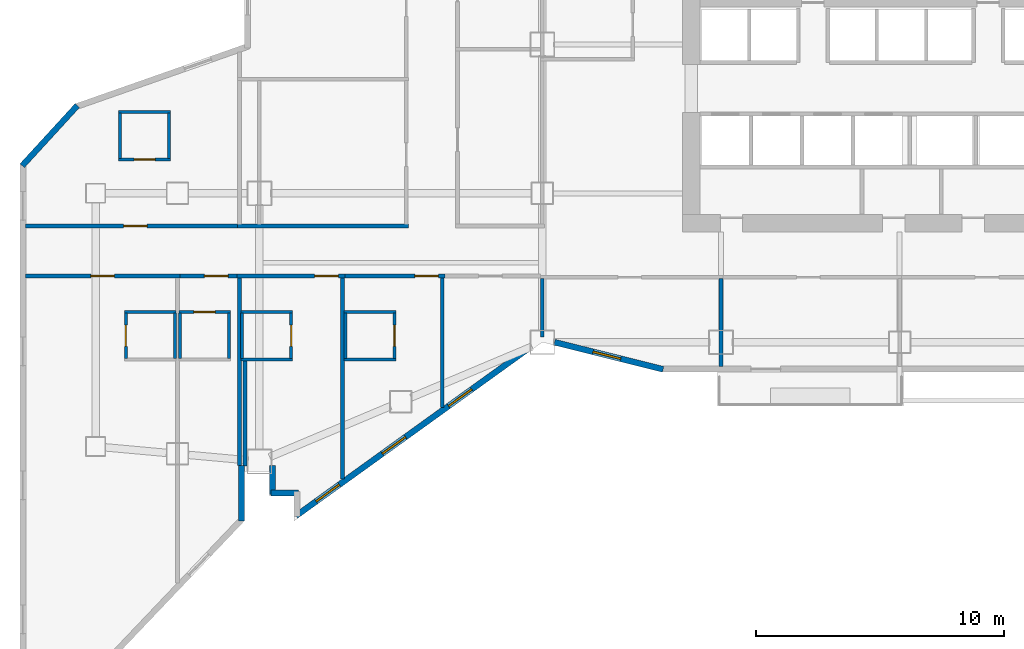
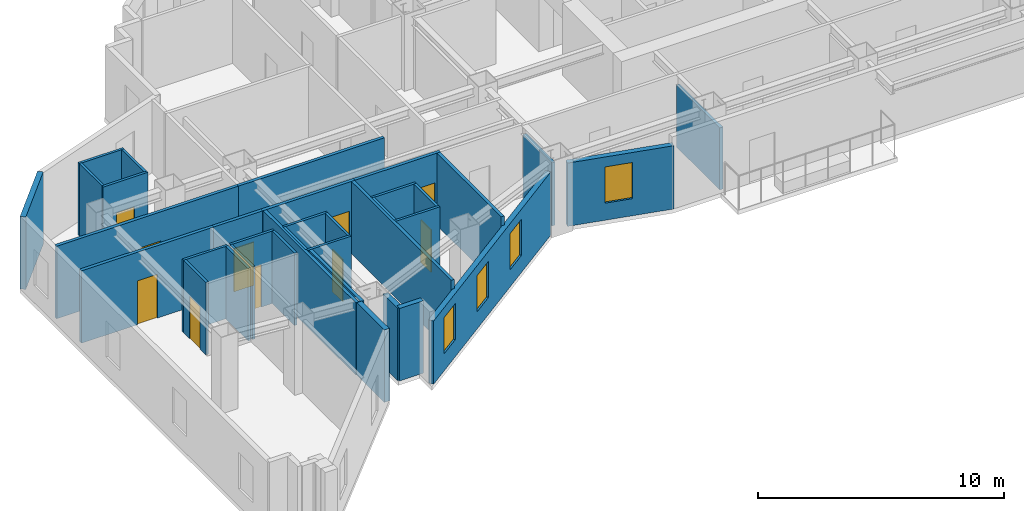
# One storey, part 5 of 13: 36 walls, 10 doors, 4 windows, 14 openings.
"""IFC4 building model written with IfcOpenShell, lengths in metres."""

from ifc_helpers import new_model, si_unit, direction, frame, frame_2d, origin, place, context, subcontext, project, spatial, rectangle, extrude, material, layer, layer_set, type_object, element, fill, save


model = new_model("IFC4")

# Units and contexts
model_context = context("Model", 3, precision=1e-05, world=origin(), true_north=direction((0.0, 1.0)))
body_context = subcontext(model_context, "Body", "Model", "MODEL_VIEW")
ifc_project = project(units=[si_unit("LENGTHUNIT", "METRE"), si_unit("AREAUNIT", "SQUARE_METRE"), si_unit("VOLUMEUNIT", "CUBIC_METRE"), si_unit("PLANEANGLEUNIT", "RADIAN"), si_unit("MASSUNIT", "GRAM", prefix="KILO")], contexts=[model_context])

# Site, building, storey
site_placement = place(None, origin())
site = spatial("IfcSite", under=ifc_project, at=site_placement, CompositionType="ELEMENT")
building_placement = place(site_placement, origin())
building = spatial("IfcBuilding", under=site, at=building_placement, Name="Haolan Belvedere Tower", CompositionType="ELEMENT")
storey_placement = place(building_placement, frame((0.0, 0.0, 102.199951171875)))
storey = spatial("IfcBuildingStorey", under=building, at=storey_placement, Name="L25", CompositionType="ELEMENT", Elevation=102.199951171875)

# Walls
ifc_material_1 = material(Name="Precast concrete C40/50", Category="concrete")
ifc_layer_1 = layer(ifc_material_1, 0.239990234375, Name="Precast concrete C40/50")
ifc_layer_set_1 = layer_set([ifc_layer_1], Name="Precast concrete C40/50")
wall_type_1 = type_object("IfcWallType", Name="WL-EXT-240", PredefinedType="SOLIDWALL", material=ifc_layer_set_1)
wall_1_placement = place(storey_placement, frame((13.1201171875, 16.639892578125, 0.0), z_axis=(0.0, 0.0, 1.0), x_axis=(0.0, -1.0, 0.0)))
element("IfcWall", 1, at=wall_1_placement, inside=storey, type_object=wall_type_1, Name="L25 pale-metal exterior spandrel wall 2.1", PredefinedType="SOLIDWALL", context=body_context, shape_type="SweptSolid", body=[
    extrude(rectangle(XDim=1.1748046875, YDim=0.239990234375, at=frame_2d((0.58740234375, 0.0))), origin(), (0.0, 0.0, 1.0), 3.60009765625),
])
wall_2_placement = place(storey_placement, frame((13.06494140625, 15.52001953125, 0.0), z_axis=(0.0, 0.0, 1.0), x_axis=(1.0, 0.0, 0.0)))
element("IfcWall", 2, at=wall_2_placement, inside=storey, type_object=wall_type_1, Name="L25 pale-metal exterior spandrel wall 3.1", PredefinedType="SOLIDWALL", context=body_context, shape_type="SweptSolid", body=[
    extrude(rectangle(XDim=1.110107421875, YDim=0.239990234375, at=frame_2d((0.55517578125, 0.0))), origin(), (0.0, 0.0, 1.0), 3.60009765625),
])

# Wall, openings, windows
wall_3_placement = place(storey_placement, frame((14.075439453125, 14.602294921875, 0.0), z_axis=(0.0, 0.0, 1.0), x_axis=(0.811543504691, 0.584291998913, 0.0)))
wall_3 = element("IfcWall", 3, at=wall_3_placement, inside=storey, type_object=wall_type_1, Name="L25 pale-metal exterior spandrel wall 5.1", PredefinedType="SOLIDWALL", context=body_context, shape_type="SweptSolid", body=[
    extrude(rectangle(XDim=11.623046875, YDim=0.239990234375, at=frame_2d((5.8115234375, 0.0))), origin(), (0.0, 0.0, 1.0), 3.14501953125),
])
opening_1_placement = place(wall_3_placement, frame((1.00048828125, 0.0, 0.85009765625)))
opening_1 = element("IfcOpeningElement", 4, at=opening_1_placement, cuts=wall_3, Name="Opening W-02", PredefinedType="OPENING", context=body_context, shape_type="SweptSolid", body=[
    extrude(rectangle(XDim=1.14990234375, YDim=1.800048828125, at=frame_2d((0.574951171875, 0.89990234375))), frame((0.0, 0.1298828125, 0.0), z_axis=(0.0, -1.0, 0.0), x_axis=(1.0, 0.0, 0.0)), (0.0, 0.0, 1.0), 0.260009765625),
])
opening_2_placement = place(wall_3_placement, frame((7.57421875, 0.0, 0.85009765625)))
opening_2 = element("IfcOpeningElement", 5, at=opening_2_placement, cuts=wall_3, Name="Opening W-02", PredefinedType="OPENING", context=body_context, shape_type="SweptSolid", body=[
    extrude(rectangle(XDim=1.14990234375, YDim=1.800048828125, at=frame_2d((0.574951171875, 0.89990234375))), frame((0.0, 0.1298828125, 0.0), z_axis=(0.0, -1.0, 0.0), x_axis=(1.0, 0.0, 0.0)), (0.0, 0.0, 1.0), 0.260009765625),
])
opening_3_placement = place(wall_3_placement, frame((4.287353515625, 0.0, 0.85009765625)))
opening_3 = element("IfcOpeningElement", 6, at=opening_3_placement, cuts=wall_3, Name="Opening W-02", PredefinedType="OPENING", context=body_context, shape_type="SweptSolid", body=[
    extrude(rectangle(XDim=1.14990234375, YDim=1.800048828125, at=frame_2d((0.574951171875, 0.89990234375))), frame((0.0, 0.1298828125, 0.0), z_axis=(0.0, -1.0, 0.0), x_axis=(1.0, 0.0, 0.0)), (0.0, 0.0, 1.0), 0.260009765625),
])
ifc_material_2 = material(Name="Anodised aluminium 6063-T6 and Low-E glass", Category="aluminium")
window_type = type_object("IfcWindowType", Name="WN-DECO-Z2", PartitioningType="SINGLE_PANEL", PredefinedType="WINDOW", material=ifc_material_2)
window_1_placement = place(opening_1_placement, origin())
window_1 = element("IfcWindow", 7, at=window_1_placement, inside=storey, type_object=window_type, Name="L25 Art Deco chevron window 1", OverallHeight=1.800048828125, OverallWidth=1.14990234375, PartitioningType="SINGLE_PANEL", PredefinedType="WINDOW", context=body_context, shape_type="SweptSolid", body=[
    extrude(rectangle(XDim=1.14990234375, YDim=1.800048828125, at=frame_2d((0.574951171875, 0.89990234375))), frame((0.0, 0.030029296875, 0.0), z_axis=(0.0, -1.0, 0.0), x_axis=(1.0, 0.0, 0.0)), (0.0, 0.0, 1.0), 0.06005859375),
])
fill(opening_1, window_1)
window_2_placement = place(opening_2_placement, origin())
window_2 = element("IfcWindow", 8, at=window_2_placement, inside=storey, type_object=window_type, Name="L25 Art Deco chevron window 2", OverallHeight=1.800048828125, OverallWidth=1.14990234375, PartitioningType="SINGLE_PANEL", PredefinedType="WINDOW", context=body_context, shape_type="SweptSolid", body=[
    extrude(rectangle(XDim=1.14990234375, YDim=1.800048828125, at=frame_2d((0.574951171875, 0.89990234375))), frame((0.0, 0.030029296875, 0.0), z_axis=(0.0, -1.0, 0.0), x_axis=(1.0, 0.0, 0.0)), (0.0, 0.0, 1.0), 0.06005859375),
])
fill(opening_2, window_2)
window_3_placement = place(opening_3_placement, origin())
window_3 = element("IfcWindow", 9, at=window_3_placement, inside=storey, type_object=window_type, Name="L25 Art Deco guestroom window 1", OverallHeight=1.800048828125, OverallWidth=1.14990234375, PartitioningType="SINGLE_PANEL", PredefinedType="WINDOW", context=body_context, shape_type="SweptSolid", body=[
    extrude(rectangle(XDim=1.14990234375, YDim=1.800048828125, at=frame_2d((0.574951171875, 0.89990234375))), frame((0.0, 0.030029296875, 0.0), z_axis=(0.0, -1.0, 0.0), x_axis=(1.0, 0.0, 0.0)), (0.0, 0.0, 1.0), 0.06005859375),
])
fill(opening_3, window_3)

# Wall, opening, window
wall_4_placement = place(storey_placement, frame((24.491943359375, 21.6005859375, 0.0), z_axis=(0.0, 0.0, 1.0), x_axis=(0.970145683738, -0.242522890311, 0.0)))
wall_4 = element("IfcWall", 10, at=wall_4_placement, inside=storey, type_object=wall_type_1, Name="L25 pale-metal exterior spandrel wall 6.1", PredefinedType="SOLIDWALL", context=body_context, shape_type="SweptSolid", body=[
    extrude(rectangle(XDim=4.510986328125, YDim=0.239990234375, at=frame_2d((2.25537109375, 0.0))), origin(), (0.0, 0.0, 1.0), 3.14501953125),
])
opening_4_placement = place(wall_4_placement, frame((1.60009765625, 0.0, 0.85009765625)))
opening_4 = element("IfcOpeningElement", 11, at=opening_4_placement, cuts=wall_4, Name="Opening W-02", PredefinedType="OPENING", context=body_context, shape_type="SweptSolid", body=[
    extrude(rectangle(XDim=1.14990234375, YDim=1.800048828125, at=frame_2d((0.574951171875, 0.89990234375))), frame((0.0, 0.1298828125, 0.0), z_axis=(0.0, -1.0, 0.0), x_axis=(1.0, 0.0, 0.0)), (0.0, 0.0, 1.0), 0.260009765625),
])
window_4_placement = place(opening_4_placement, origin())
window_4 = element("IfcWindow", 12, at=window_4_placement, inside=storey, type_object=window_type, Name="L25 Art Deco chevron window 1", OverallHeight=1.800048828125, OverallWidth=1.14990234375, PartitioningType="SINGLE_PANEL", PredefinedType="WINDOW", context=body_context, shape_type="SweptSolid", body=[
    extrude(rectangle(XDim=1.14990234375, YDim=1.800048828125, at=frame_2d((0.574951171875, 0.89990234375))), frame((0.0, 0.030029296875, 0.0), z_axis=(0.0, -1.0, 0.0), x_axis=(1.0, 0.0, 0.0)), (0.0, 0.0, 1.0), 0.06005859375),
])
fill(opening_4, window_4)

# Walls
wall_5_placement = place(storey_placement, frame((5.265380859375, 31.13720703125, 0.0), z_axis=(0.0, 0.0, 1.0), x_axis=(-0.675785130265, -0.737098675696, 0.0)))
element("IfcWall", 13, at=wall_5_placement, inside=storey, type_object=wall_type_1, Name="L25 pale-metal exterior spandrel wall 43.1", PredefinedType="SOLIDWALL", context=body_context, shape_type="SweptSolid", body=[
    extrude(rectangle(XDim=3.2890625, YDim=0.239990234375, at=frame_2d((1.64453125, 0.0))), origin(), (0.0, 0.0, 1.0), 3.60009765625),
])
wall_6_placement = place(storey_placement, frame((11.8798828125, 14.39306640625, 0.0), z_axis=(0.0, 0.0, 1.0), x_axis=(0.0, 1.0, 0.0)))
element("IfcWall", 14, at=wall_6_placement, inside=storey, type_object=wall_type_1, Name="L25 pale-metal exterior spandrel wall 50.1", PredefinedType="SOLIDWALL", context=body_context, shape_type="SweptSolid", body=[
    extrude(rectangle(XDim=2.246826171875, YDim=0.239990234375, at=frame_2d((1.12353515625, 0.0))), origin(), (0.0, 0.0, 1.0), 3.60009765625),
])
ifc_material_3 = material(Name="Double gypsum acoustic stud partition", Category="masonry")
ifc_layer_2 = layer(ifc_material_3, 0.14990234375, Name="Double gypsum acoustic stud partition")
ifc_layer_set_2 = layer_set([ifc_layer_2], Name="Double gypsum acoustic stud partition")
wall_type_2 = type_object("IfcWallType", Name="WL-PART-150", PredefinedType="PARTITIONING", material=ifc_layer_set_2)
wall_7_placement = place(storey_placement, frame((24.0, 21.818603515625, 0.0), z_axis=(0.0, 0.0, 1.0), x_axis=(0.0, 1.0, 0.0)))
element("IfcWall", 15, at=wall_7_placement, inside=storey, type_object=wall_type_2, Name="L25 interior partition IW-L25-KS1-W", PredefinedType="PARTITIONING", context=body_context, shape_type="SweptSolid", body=[
    extrude(rectangle(XDim=2.34130859375, YDim=0.14990234375, at=frame_2d((1.170654296875, 0.0))), origin(), (0.0, 0.0, 1.0), 3.14501953125),
])
wall_8_placement = place(storey_placement, frame((31.199951171875, 20.625, 0.0), z_axis=(0.0, 0.0, 1.0), x_axis=(0.0, 1.0, 0.0)))
element("IfcWall", 16, at=wall_8_placement, inside=storey, type_object=wall_type_2, Name="L25 interior partition IW-L25-KS1-E", PredefinedType="PARTITIONING", context=body_context, shape_type="SweptSolid", body=[
    extrude(rectangle(XDim=3.534912109375, YDim=0.14990234375, at=frame_2d((1.767578125, 0.0))), origin(), (0.0, 0.0, 1.0), 3.0849609375),
])
wall_9_placement = place(storey_placement, frame((11.719970703125, 26.280029296875, 0.0), z_axis=(0.0, 0.0, 1.0), x_axis=(1.0, 0.0, 0.0)))
element("IfcWall", 17, at=wall_9_placement, inside=storey, type_object=wall_type_2, Name="L25 interior partition IW-L25-T2W1-S", PredefinedType="PARTITIONING", context=body_context, shape_type="SweptSolid", body=[
    extrude(rectangle(XDim=6.880126953125, YDim=0.14990234375, at=frame_2d((3.43994140625, 0.0))), origin(), (0.0, 0.0, 1.0), 3.60009765625),
])

# Wall, opening, door
wall_10_placement = place(storey_placement, frame((11.699951171875, 24.27001953125, 0.0), z_axis=(0.0, 0.0, 1.0), x_axis=(1.0, 0.0, 0.0)))
wall_10 = element("IfcWall", 18, at=wall_10_placement, inside=storey, type_object=wall_type_2, Name="L25 interior partition IW-L25-T2S1-N", PredefinedType="PARTITIONING", context=body_context, shape_type="SweptSolid", body=[
    extrude(rectangle(XDim=4.35009765625, YDim=0.14990234375, at=frame_2d((2.175048828125, 0.0))), origin(), (0.0, 0.0, 1.0), 3.60009765625),
])
opening_5_placement = place(wall_10_placement, frame((4.079833984375, 0.0, 0.0), z_axis=(0.0, 0.0, 1.0), x_axis=(-1.0, 0.0, 0.0)))
opening_5 = element("IfcOpeningElement", 19, at=opening_5_placement, cuts=wall_10, Name="Opening ID-02", PredefinedType="OPENING", context=body_context, shape_type="SweptSolid", body=[
    extrude(rectangle(XDim=0.949951171875, YDim=2.14990234375, at=frame_2d((0.47509765625, 1.074951171875))), frame((0.0, 0.0849609375, 0.0), z_axis=(0.0, -1.0, 0.0), x_axis=(1.0, 0.0, 0.0)), (0.0, 0.0, 1.0), 0.169921875),
])
ifc_material_4 = material(Name="Acoustic oak veneer fire-rated timber", Category="wood")
door_type_1 = type_object("IfcDoorType", Name="DR-GUEST-950", OperationType="NOTDEFINED", PredefinedType="DOOR", material=ifc_material_4)
door_1_placement = place(opening_5_placement, origin())
door_1 = element("IfcDoor", 20, at=door_1_placement, inside=storey, type_object=door_type_1, Name="L25 door ID-L25-T2S1-ENT", OperationType="SINGLE_SWING_RIGHT", OverallHeight=2.14990234375, OverallWidth=0.949951171875, PredefinedType="DOOR", context=body_context, shape_type="SweptSolid", body=[
    extrude(rectangle(XDim=0.949951171875, YDim=2.14990234375, at=frame_2d((0.47509765625, 1.074951171875))), frame((0.0, 0.02490234375, 0.0), z_axis=(0.0, -1.0, 0.0), x_axis=(1.0, 0.0, 0.0)), (0.0, 0.0, 1.0), 0.050048828125),
])
fill(opening_5, door_1)

# Walls
wall_11_placement = place(storey_placement, frame((11.800048828125, 16.64208984375, 0.0), z_axis=(0.0, 0.0, 1.0), x_axis=(0.0, 1.0, 0.0)))
element("IfcWall", 21, at=wall_11_placement, inside=storey, type_object=wall_type_2, Name="L25 interior partition IW-L25-T2S1-W", PredefinedType="PARTITIONING", context=body_context, shape_type="SweptSolid", body=[
    extrude(rectangle(XDim=7.56787109375, YDim=0.14990234375, at=frame_2d((3.783935546875, 0.0))), origin(), (0.0, 0.0, 1.0), 3.60009765625),
])
wall_12_placement = place(storey_placement, frame((15.949951171875, 16.081298828125, 0.0), z_axis=(0.0, 0.0, 1.0), x_axis=(0.0, 1.0, 0.0)))
element("IfcWall", 22, at=wall_12_placement, inside=storey, type_object=wall_type_2, Name="L25 interior partition IW-L25-T2S1-E", PredefinedType="PARTITIONING", context=body_context, shape_type="SweptSolid", body=[
    extrude(rectangle(XDim=8.128662109375, YDim=0.14990234375, at=frame_2d((4.064453125, 0.0))), origin(), (0.0, 0.0, 1.0), 3.60009765625),
])

# Wall, opening, door
wall_13_placement = place(storey_placement, frame((16.052001953125, 24.27001953125, 0.0), z_axis=(0.0, 0.0, 1.0), x_axis=(1.0, 0.0, 0.0)))
wall_13 = element("IfcWall", 23, at=wall_13_placement, inside=storey, type_object=wall_type_2, Name="L25 interior partition IW-L25-T2S2-N", PredefinedType="PARTITIONING", context=body_context, shape_type="SweptSolid", body=[
    extrude(rectangle(XDim=4.01806640625, YDim=0.14990234375, at=frame_2d((2.009033203125, 0.0))), origin(), (0.0, 0.0, 1.0), 3.60009765625),
])
opening_6_placement = place(wall_13_placement, frame((3.759765625, 0.0, 0.0), z_axis=(0.0, 0.0, 1.0), x_axis=(-1.0, 0.0, 0.0)))
opening_6 = element("IfcOpeningElement", 24, at=opening_6_placement, cuts=wall_13, Name="Opening ID-02", PredefinedType="OPENING", context=body_context, shape_type="SweptSolid", body=[
    extrude(rectangle(XDim=0.949951171875, YDim=2.14990234375, at=frame_2d((0.47509765625, 1.074951171875))), frame((0.0, 0.0849609375, 0.0), z_axis=(0.0, -1.0, 0.0), x_axis=(1.0, 0.0, 0.0)), (0.0, 0.0, 1.0), 0.169921875),
])
door_2_placement = place(opening_6_placement, origin())
door_2 = element("IfcDoor", 25, at=door_2_placement, inside=storey, type_object=door_type_1, Name="L25 door ID-L25-T2S2-ENT", OperationType="SINGLE_SWING_LEFT", OverallHeight=2.14990234375, OverallWidth=0.949951171875, PredefinedType="DOOR", context=body_context, shape_type="SweptSolid", body=[
    extrude(rectangle(XDim=0.949951171875, YDim=2.14990234375, at=frame_2d((0.47509765625, 1.074951171875))), frame((0.0, 0.02490234375, 0.0), z_axis=(0.0, -1.0, 0.0), x_axis=(1.0, 0.0, 0.0)), (0.0, 0.0, 1.0), 0.050048828125),
])
fill(opening_6, door_2)

# Wall
wall_14_placement = place(storey_placement, frame((19.969970703125, 18.9755859375, 0.0), z_axis=(0.0, 0.0, 1.0), x_axis=(0.0, 1.0, 0.0)))
element("IfcWall", 26, at=wall_14_placement, inside=storey, type_object=wall_type_2, Name="L25 interior partition IW-L25-T2S2-E", PredefinedType="PARTITIONING", context=body_context, shape_type="SweptSolid", body=[
    extrude(rectangle(XDim=5.234375, YDim=0.14990234375, at=frame_2d((2.6171875, 0.0))), origin(), (0.0, 0.0, 1.0), 3.60009765625),
])

# Wall, opening, door
wall_15_placement = place(storey_placement, frame((3.18505859375, 24.27001953125, 0.0), z_axis=(0.0, 0.0, 1.0), x_axis=(1.0, 0.0, 0.0)))
wall_15 = element("IfcWall", 27, at=wall_15_placement, inside=storey, type_object=wall_type_2, Name="L25 interior partition IW-L25-T1S1-N", PredefinedType="PARTITIONING", context=body_context, shape_type="SweptSolid", body=[
    extrude(rectangle(XDim=6.21484375, YDim=0.14990234375, at=frame_2d((3.107421875, 0.0))), origin(), (0.0, 0.0, 1.0), 3.60009765625),
])
opening_7_placement = place(wall_15_placement, frame((3.57666015625, 0.0, 0.0), z_axis=(0.0, 0.0, 1.0), x_axis=(-1.0, 0.0, 0.0)))
opening_7 = element("IfcOpeningElement", 28, at=opening_7_placement, cuts=wall_15, Name="Opening ID-01", PredefinedType="OPENING", context=body_context, shape_type="SweptSolid", body=[
    extrude(rectangle(XDim=0.949951171875, YDim=2.179931640625, at=frame_2d((0.47509765625, 1.08984375))), frame((0.0, 0.0849609375, 0.0), z_axis=(0.0, -1.0, 0.0), x_axis=(1.0, 0.0, 0.0)), (0.0, 0.0, 1.0), 0.169921875),
])
ifc_material_5 = material(Name="Acoustic walnut veneer fire-rated timber", Category="wood")
door_type_2 = type_object("IfcDoorType", Name="DR-SUITE-950", OperationType="NOTDEFINED", PredefinedType="DOOR", material=ifc_material_5)
door_3_placement = place(opening_7_placement, origin())
door_3 = element("IfcDoor", 29, at=door_3_placement, inside=storey, type_object=door_type_2, Name="L25 door ID-L25-T1S1-ENT", OperationType="SINGLE_SWING_LEFT", OverallHeight=2.179931640625, OverallWidth=0.949951171875, PredefinedType="DOOR", context=body_context, shape_type="SweptSolid", body=[
    extrude(rectangle(XDim=0.949951171875, YDim=2.179931640625, at=frame_2d((0.47509765625, 1.08984375))), frame((0.0, 0.02490234375, 0.0), z_axis=(0.0, -1.0, 0.0), x_axis=(1.0, 0.0, 0.0)), (0.0, 0.0, 1.0), 0.050048828125),
])
fill(opening_7, door_3)

wall_16_placement = place(storey_placement, frame((9.402099609375, 24.27001953125, 0.0), z_axis=(0.0, 0.0, 1.0), x_axis=(1.0, 0.0, 0.0)))
wall_16 = element("IfcWall", 30, at=wall_16_placement, inside=storey, type_object=wall_type_2, Name="L25 interior partition IW-L25-T1S2-N", PredefinedType="PARTITIONING", context=body_context, shape_type="SweptSolid", body=[
    extrude(rectangle(XDim=2.2958984375, YDim=0.14990234375, at=frame_2d((1.14794921875, 0.0))), origin(), (0.0, 0.0, 1.0), 3.60009765625),
])
opening_8_placement = place(wall_16_placement, frame((1.93408203125, 0.0, 0.0), z_axis=(0.0, 0.0, 1.0), x_axis=(-1.0, 0.0, 0.0)))
opening_8 = element("IfcOpeningElement", 31, at=opening_8_placement, cuts=wall_16, Name="Opening ID-02", PredefinedType="OPENING", context=body_context, shape_type="SweptSolid", body=[
    extrude(rectangle(XDim=0.949951171875, YDim=2.14990234375, at=frame_2d((0.47509765625, 1.074951171875))), frame((0.0, 0.0849609375, 0.0), z_axis=(0.0, -1.0, 0.0), x_axis=(1.0, 0.0, 0.0)), (0.0, 0.0, 1.0), 0.169921875),
])
door_4_placement = place(opening_8_placement, origin())
door_4 = element("IfcDoor", 32, at=door_4_placement, inside=storey, type_object=door_type_1, Name="L25 door ID-L25-T1S2-ENT", OperationType="SINGLE_SWING_RIGHT", OverallHeight=2.14990234375, OverallWidth=0.949951171875, PredefinedType="DOOR", context=body_context, shape_type="SweptSolid", body=[
    extrude(rectangle(XDim=0.949951171875, YDim=2.14990234375, at=frame_2d((0.47509765625, 1.074951171875))), frame((0.0, 0.02490234375, 0.0), z_axis=(0.0, -1.0, 0.0), x_axis=(1.0, 0.0, 0.0)), (0.0, 0.0, 1.0), 0.050048828125),
])
fill(opening_8, door_4)

# Wall
wall_17_placement = place(storey_placement, frame((12.02001953125, 16.612060546875, 0.0), z_axis=(0.0, 0.0, 1.0), x_axis=(0.0, 1.0, 0.0)))
element("IfcWall", 33, at=wall_17_placement, inside=storey, type_object=wall_type_2, Name="L25 interior partition IW-L25-T1S2-E", PredefinedType="PARTITIONING", context=body_context, shape_type="SweptSolid", body=[
    extrude(rectangle(XDim=4.242919921875, YDim=0.14990234375, at=frame_2d((2.12158203125, 0.0))), origin(), (0.0, 0.0, 1.0), 3.60009765625),
])

# Wall, opening, door
wall_18_placement = place(storey_placement, frame((3.18505859375, 26.280029296875, 0.0), z_axis=(0.0, 0.0, 1.0), x_axis=(1.0, 0.0, 0.0)))
wall_18 = element("IfcWall", 34, at=wall_18_placement, inside=storey, type_object=wall_type_2, Name="L25 interior partition IW-L25-T1N1-S", PredefinedType="PARTITIONING", context=body_context, shape_type="SweptSolid", body=[
    extrude(rectangle(XDim=8.532958984375, YDim=0.14990234375, at=frame_2d((4.2666015625, 0.0))), origin(), (0.0, 0.0, 1.0), 3.60009765625),
])
opening_9_placement = place(wall_18_placement, frame((3.94287109375, 0.0, 0.0)))
opening_9 = element("IfcOpeningElement", 35, at=opening_9_placement, cuts=wall_18, Name="Opening ID-02", PredefinedType="OPENING", context=body_context, shape_type="SweptSolid", body=[
    extrude(rectangle(XDim=0.949951171875, YDim=2.14990234375, at=frame_2d((0.47509765625, 1.074951171875))), frame((0.0, 0.0849609375, 0.0), z_axis=(0.0, -1.0, 0.0), x_axis=(1.0, 0.0, 0.0)), (0.0, 0.0, 1.0), 0.169921875),
])
door_5_placement = place(opening_9_placement, origin())
door_5 = element("IfcDoor", 36, at=door_5_placement, inside=storey, type_object=door_type_1, Name="L25 door ID-L25-T1N1-ENT", OperationType="SINGLE_SWING_LEFT", OverallHeight=2.14990234375, OverallWidth=0.949951171875, PredefinedType="DOOR", context=body_context, shape_type="SweptSolid", body=[
    extrude(rectangle(XDim=0.949951171875, YDim=2.14990234375, at=frame_2d((0.47509765625, 1.074951171875))), frame((0.0, 0.02490234375, 0.0), z_axis=(0.0, -1.0, 0.0), x_axis=(1.0, 0.0, 0.0)), (0.0, 0.0, 1.0), 0.050048828125),
])
fill(opening_9, door_5)

# Walls
ifc_material_6 = material(Name="Moisture-resistant gypsum tile partition", Category="masonry")
ifc_layer_3 = layer(ifc_material_6, 0.1201171875, Name="Moisture-resistant gypsum tile partition")
ifc_layer_set_3 = layer_set([ifc_layer_3], Name="Moisture-resistant gypsum tile partition")
wall_type_3 = type_object("IfcWallType", Name="WL-WET-120", PredefinedType="PARTITIONING", material=ifc_layer_set_3)
for number, where, z_axis, x_axis, name in (
    (37, (11.860107421875, 22.820068359375, 0.0), (0.0, 0.0, 1.0), (1.0, 0.0, 0.0), "L25 interior partition IW-L25-T2S1-BN"),
    (38, (11.860107421875, 20.89990234375, 0.0), (0.0, 0.0, 1.0), (1.0, 0.0, 0.0), "L25 interior partition IW-L25-T2S1-BS"),
):
    element("IfcWall", number, at=place(storey_placement, frame(where, z_axis=z_axis, x_axis=x_axis)), inside=storey, type_object=wall_type_3, Name=name, PredefinedType="PARTITIONING", context=body_context, shape_type="SweptSolid", body=[
        extrude(rectangle(XDim=2.079833984375, YDim=0.1201171875, at=frame_2d((1.0400390625, 0.0))), origin(), (0.0, 0.0, 1.0), 3.60009765625),
    ])
wall_19_placement = place(storey_placement, frame((11.89990234375, 20.945068359375, 0.0), z_axis=(0.0, 0.0, 1.0), x_axis=(0.0, 1.0, 0.0)))
element("IfcWall", 39, at=wall_19_placement, inside=storey, type_object=wall_type_3, Name="L25 interior partition IW-L25-T2S1-BW", PredefinedType="PARTITIONING", context=body_context, shape_type="SweptSolid", body=[
    extrude(rectangle(XDim=1.829833984375, YDim=0.1201171875, at=frame_2d((0.9150390625, 0.0))), origin(), (0.0, 0.0, 1.0), 3.60009765625),
])

# Wall, opening, door
wall_20_placement = place(storey_placement, frame((13.8798828125, 20.945068359375, 0.0), z_axis=(0.0, 0.0, 1.0), x_axis=(0.0, 1.0, 0.0)))
wall_20 = element("IfcWall", 40, at=wall_20_placement, inside=storey, type_object=wall_type_3, Name="L25 interior partition IW-L25-T2S1-BE", PredefinedType="PARTITIONING", context=body_context, shape_type="SweptSolid", body=[
    extrude(rectangle(XDim=1.829833984375, YDim=0.1201171875, at=frame_2d((0.9150390625, 0.0))), origin(), (0.0, 0.0, 1.0), 3.60009765625),
])
opening_10_placement = place(wall_20_placement, frame((0.489990234375, 0.0, 0.0)))
opening_10 = element("IfcOpeningElement", 41, at=opening_10_placement, cuts=wall_20, Name="Opening ID-05", PredefinedType="OPENING", context=body_context, shape_type="SweptSolid", body=[
    extrude(rectangle(XDim=0.85009765625, YDim=2.10009765625, at=frame_2d((0.425048828125, 1.050048828125))), frame((0.0, 0.070068359375, 0.0), z_axis=(0.0, -1.0, 0.0), x_axis=(1.0, 0.0, 0.0)), (0.0, 0.0, 1.0), 0.14013671875),
])
ifc_material_7 = material(Name="Moisture-resistant lacquered timber", Category="wood")
door_type_3 = type_object("IfcDoorType", Name="DR-BATH-850", OperationType="NOTDEFINED", PredefinedType="DOOR", material=ifc_material_7)
door_6_placement = place(opening_10_placement, origin())
door_6 = element("IfcDoor", 42, at=door_6_placement, inside=storey, type_object=door_type_3, Name="L25 door ID-L25-T2S1-BATH", OperationType="SINGLE_SWING_LEFT", OverallHeight=2.10009765625, OverallWidth=0.85009765625, PredefinedType="DOOR", context=body_context, shape_type="SweptSolid", body=[
    extrude(rectangle(XDim=0.85009765625, YDim=2.10009765625, at=frame_2d((0.425048828125, 1.050048828125))), frame((0.0, 0.02490234375, 0.0), z_axis=(0.0, -1.0, 0.0), x_axis=(1.0, 0.0, 0.0)), (0.0, 0.0, 1.0), 0.050048828125),
])
fill(opening_10, door_6)

# Walls
for number, where, z_axis, x_axis, name in (
    (43, (16.010009765625, 22.820068359375, 0.0), (0.0, 0.0, 1.0), (1.0, 0.0, 0.0), "L25 interior partition IW-L25-T2S2-BN"),
    (44, (16.010009765625, 20.89990234375, 0.0), (0.0, 0.0, 1.0), (1.0, 0.0, 0.0), "L25 interior partition IW-L25-T2S2-BS"),
):
    element("IfcWall", number, at=place(storey_placement, frame(where, z_axis=z_axis, x_axis=x_axis)), inside=storey, type_object=wall_type_3, Name=name, PredefinedType="PARTITIONING", context=body_context, shape_type="SweptSolid", body=[
        extrude(rectangle(XDim=2.094970703125, YDim=0.1201171875, at=frame_2d((1.04736328125, 0.0))), origin(), (0.0, 0.0, 1.0), 3.60009765625),
    ])
wall_21_placement = place(storey_placement, frame((16.06494140625, 20.945068359375, 0.0), z_axis=(0.0, 0.0, 1.0), x_axis=(0.0, 1.0, 0.0)))
element("IfcWall", 45, at=wall_21_placement, inside=storey, type_object=wall_type_3, Name="L25 interior partition IW-L25-T2S2-BW", PredefinedType="PARTITIONING", context=body_context, shape_type="SweptSolid", body=[
    extrude(rectangle(XDim=1.829833984375, YDim=0.1201171875, at=frame_2d((0.9150390625, 0.0))), origin(), (0.0, 0.0, 1.0), 3.60009765625),
])

# Wall, opening, door
wall_22_placement = place(storey_placement, frame((18.044921875, 20.945068359375, 0.0), z_axis=(0.0, 0.0, 1.0), x_axis=(0.0, 1.0, 0.0)))
wall_22 = element("IfcWall", 46, at=wall_22_placement, inside=storey, type_object=wall_type_3, Name="L25 interior partition IW-L25-T2S2-BE", PredefinedType="PARTITIONING", context=body_context, shape_type="SweptSolid", body=[
    extrude(rectangle(XDim=1.829833984375, YDim=0.1201171875, at=frame_2d((0.9150390625, 0.0))), origin(), (0.0, 0.0, 1.0), 3.60009765625),
])
opening_11_placement = place(wall_22_placement, frame((0.489990234375, 0.0, 0.0)))
opening_11 = element("IfcOpeningElement", 47, at=opening_11_placement, cuts=wall_22, Name="Opening ID-05", PredefinedType="OPENING", context=body_context, shape_type="SweptSolid", body=[
    extrude(rectangle(XDim=0.85009765625, YDim=2.10009765625, at=frame_2d((0.425048828125, 1.050048828125))), frame((0.0, 0.070068359375, 0.0), z_axis=(0.0, -1.0, 0.0), x_axis=(1.0, 0.0, 0.0)), (0.0, 0.0, 1.0), 0.14013671875),
])
door_7_placement = place(opening_11_placement, origin())
door_7 = element("IfcDoor", 48, at=door_7_placement, inside=storey, type_object=door_type_3, Name="L25 door ID-L25-T2S2-BATH", OperationType="SINGLE_SWING_RIGHT", OverallHeight=2.10009765625, OverallWidth=0.85009765625, PredefinedType="DOOR", context=body_context, shape_type="SweptSolid", body=[
    extrude(rectangle(XDim=0.85009765625, YDim=2.10009765625, at=frame_2d((0.425048828125, 1.050048828125))), frame((0.0, 0.02490234375, 0.0), z_axis=(0.0, -1.0, 0.0), x_axis=(1.0, 0.0, 0.0)), (0.0, 0.0, 1.0), 0.050048828125),
])
fill(opening_11, door_7)

# Wall
wall_23_placement = place(storey_placement, frame((7.159912109375, 22.820068359375, 0.0), z_axis=(0.0, 0.0, 1.0), x_axis=(1.0, 0.0, 0.0)))
element("IfcWall", 49, at=wall_23_placement, inside=storey, type_object=wall_type_3, Name="L25 interior partition IW-L25-T1S1-BN", PredefinedType="PARTITIONING", context=body_context, shape_type="SweptSolid", body=[
    extrude(rectangle(XDim=2.080078125, YDim=0.1201171875, at=frame_2d((1.0400390625, 0.0))), origin(), (0.0, 0.0, 1.0), 3.60009765625),
])

# Wall, opening, door
wall_24_placement = place(storey_placement, frame((7.219970703125, 20.945068359375, 0.0), z_axis=(0.0, 0.0, 1.0), x_axis=(0.0, 1.0, 0.0)))
wall_24 = element("IfcWall", 50, at=wall_24_placement, inside=storey, type_object=wall_type_3, Name="L25 interior partition IW-L25-T1S1-BW", PredefinedType="PARTITIONING", context=body_context, shape_type="SweptSolid", body=[
    extrude(rectangle(XDim=1.829833984375, YDim=0.1201171875, at=frame_2d((0.9150390625, 0.0))), origin(), (0.0, 0.0, 1.0), 3.60009765625),
])
opening_12_placement = place(wall_24_placement, frame((1.340087890625, 0.0, 0.0), z_axis=(0.0, 0.0, 1.0), x_axis=(-1.0, 0.0, 0.0)))
opening_12 = element("IfcOpeningElement", 51, at=opening_12_placement, cuts=wall_24, Name="Opening ID-05", PredefinedType="OPENING", context=body_context, shape_type="SweptSolid", body=[
    extrude(rectangle(XDim=0.85009765625, YDim=2.10009765625, at=frame_2d((0.425048828125, 1.050048828125))), frame((0.0, 0.070068359375, 0.0), z_axis=(0.0, -1.0, 0.0), x_axis=(1.0, 0.0, 0.0)), (0.0, 0.0, 1.0), 0.14013671875),
])
door_8_placement = place(opening_12_placement, origin())
door_8 = element("IfcDoor", 52, at=door_8_placement, inside=storey, type_object=door_type_3, Name="L25 door ID-L25-T1S1-BATH", OperationType="SINGLE_SWING_RIGHT", OverallHeight=2.10009765625, OverallWidth=0.85009765625, PredefinedType="DOOR", context=body_context, shape_type="SweptSolid", body=[
    extrude(rectangle(XDim=0.85009765625, YDim=2.10009765625, at=frame_2d((0.425048828125, 1.050048828125))), frame((0.0, 0.02490234375, 0.0), z_axis=(0.0, -1.0, 0.0), x_axis=(1.0, 0.0, 0.0)), (0.0, 0.0, 1.0), 0.050048828125),
])
fill(opening_12, door_8)

# Wall
wall_25_placement = place(storey_placement, frame((9.199951171875, 20.945068359375, 0.0), z_axis=(0.0, 0.0, 1.0), x_axis=(0.0, 1.0, 0.0)))
element("IfcWall", 53, at=wall_25_placement, inside=storey, type_object=wall_type_3, Name="L25 interior partition IW-L25-T1S1-BE", PredefinedType="PARTITIONING", context=body_context, shape_type="SweptSolid", body=[
    extrude(rectangle(XDim=1.829833984375, YDim=0.1201171875, at=frame_2d((0.9150390625, 0.0))), origin(), (0.0, 0.0, 1.0), 3.60009765625),
])

# Wall, opening, door
wall_26_placement = place(storey_placement, frame((9.360107421875, 22.820068359375, 0.0), z_axis=(0.0, 0.0, 1.0), x_axis=(1.0, 0.0, 0.0)))
wall_26 = element("IfcWall", 54, at=wall_26_placement, inside=storey, type_object=wall_type_3, Name="L25 interior partition IW-L25-T1S2-BN", PredefinedType="PARTITIONING", context=body_context, shape_type="SweptSolid", body=[
    extrude(rectangle(XDim=2.079833984375, YDim=0.1201171875, at=frame_2d((1.0400390625, 0.0))), origin(), (0.0, 0.0, 1.0), 3.60009765625),
])
opening_13_placement = place(wall_26_placement, frame((1.455078125, 0.0, 0.0), z_axis=(0.0, 0.0, 1.0), x_axis=(-1.0, 0.0, 0.0)))
opening_13 = element("IfcOpeningElement", 55, at=opening_13_placement, cuts=wall_26, Name="Opening ID-05", PredefinedType="OPENING", context=body_context, shape_type="SweptSolid", body=[
    extrude(rectangle(XDim=0.85009765625, YDim=2.10009765625, at=frame_2d((0.425048828125, 1.050048828125))), frame((0.0, 0.070068359375, 0.0), z_axis=(0.0, -1.0, 0.0), x_axis=(1.0, 0.0, 0.0)), (0.0, 0.0, 1.0), 0.14013671875),
])
door_9_placement = place(opening_13_placement, origin())
door_9 = element("IfcDoor", 56, at=door_9_placement, inside=storey, type_object=door_type_3, Name="L25 door ID-L25-T1S2-BATH", OperationType="SINGLE_SWING_LEFT", OverallHeight=2.10009765625, OverallWidth=0.85009765625, PredefinedType="DOOR", context=body_context, shape_type="SweptSolid", body=[
    extrude(rectangle(XDim=0.85009765625, YDim=2.10009765625, at=frame_2d((0.425048828125, 1.050048828125))), frame((0.0, 0.02490234375, 0.0), z_axis=(0.0, -1.0, 0.0), x_axis=(1.0, 0.0, 0.0)), (0.0, 0.0, 1.0), 0.050048828125),
])
fill(opening_13, door_9)

# Walls
for number, where, z_axis, x_axis, name in (
    (57, (9.39990234375, 20.945068359375, 0.0), (0.0, 0.0, 1.0), (0.0, 1.0, 0.0), "L25 interior partition IW-L25-T1S2-BW"),
    (58, (11.3798828125, 20.945068359375, 0.0), (0.0, 0.0, 1.0), (0.0, 1.0, 0.0), "L25 interior partition IW-L25-T1S2-BE"),
):
    element("IfcWall", number, at=place(storey_placement, frame(where, z_axis=z_axis, x_axis=x_axis)), inside=storey, type_object=wall_type_3, Name=name, PredefinedType="PARTITIONING", context=body_context, shape_type="SweptSolid", body=[
        extrude(rectangle(XDim=1.829833984375, YDim=0.1201171875, at=frame_2d((0.9150390625, 0.0))), origin(), (0.0, 0.0, 1.0), 3.60009765625),
    ])
wall_27_placement = place(storey_placement, frame((6.923095703125, 30.87890625, 0.0), z_axis=(0.0, 0.0, 1.0), x_axis=(1.0, 0.0, 0.0)))
element("IfcWall", 59, at=wall_27_placement, inside=storey, type_object=wall_type_3, Name="L25 interior partition IW-L25-T1N1-BN", PredefinedType="PARTITIONING", context=body_context, shape_type="SweptSolid", body=[
    extrude(rectangle(XDim=2.099853515625, YDim=0.1201171875, at=frame_2d((1.0498046875, 0.0))), origin(), (0.0, 0.0, 1.0), 3.60009765625),
])

# Wall, opening, door
wall_28_placement = place(storey_placement, frame((6.923095703125, 28.958984375, 0.0), z_axis=(0.0, 0.0, 1.0), x_axis=(1.0, 0.0, 0.0)))
wall_28 = element("IfcWall", 60, at=wall_28_placement, inside=storey, type_object=wall_type_3, Name="L25 interior partition IW-L25-T1N1-BS", PredefinedType="PARTITIONING", context=body_context, shape_type="SweptSolid", body=[
    extrude(rectangle(XDim=2.099853515625, YDim=0.1201171875, at=frame_2d((1.0498046875, 0.0))), origin(), (0.0, 0.0, 1.0), 3.60009765625),
])
opening_14_placement = place(wall_28_placement, frame((0.625, 0.0, 0.0)))
opening_14 = element("IfcOpeningElement", 61, at=opening_14_placement, cuts=wall_28, Name="Opening ID-05", PredefinedType="OPENING", context=body_context, shape_type="SweptSolid", body=[
    extrude(rectangle(XDim=0.85009765625, YDim=2.10009765625, at=frame_2d((0.425048828125, 1.050048828125))), frame((0.0, 0.070068359375, 0.0), z_axis=(0.0, -1.0, 0.0), x_axis=(1.0, 0.0, 0.0)), (0.0, 0.0, 1.0), 0.14013671875),
])
door_10_placement = place(opening_14_placement, origin())
door_10 = element("IfcDoor", 62, at=door_10_placement, inside=storey, type_object=door_type_3, Name="L25 door ID-L25-T1N1-BATH", OperationType="SINGLE_SWING_RIGHT", OverallHeight=2.10009765625, OverallWidth=0.85009765625, PredefinedType="DOOR", context=body_context, shape_type="SweptSolid", body=[
    extrude(rectangle(XDim=0.85009765625, YDim=2.10009765625, at=frame_2d((0.425048828125, 1.050048828125))), frame((0.0, 0.02490234375, 0.0), z_axis=(0.0, -1.0, 0.0), x_axis=(1.0, 0.0, 0.0)), (0.0, 0.0, 1.0), 0.050048828125),
])
fill(opening_14, door_10)

# Walls
for number, where, z_axis, x_axis, name in (
    (63, (6.98291015625, 29.00390625, 0.0), (0.0, 0.0, 1.0), (0.0, 1.0, 0.0), "L25 interior partition IW-L25-T1N1-BW"),
    (64, (8.962890625, 29.00390625, 0.0), (0.0, 0.0, 1.0), (0.0, 1.0, 0.0), "L25 interior partition IW-L25-T1N1-BE"),
):
    element("IfcWall", number, at=place(storey_placement, frame(where, z_axis=z_axis, x_axis=x_axis)), inside=storey, type_object=wall_type_3, Name=name, PredefinedType="PARTITIONING", context=body_context, shape_type="SweptSolid", body=[
        extrude(rectangle(XDim=1.830078125, YDim=0.1201171875, at=frame_2d((0.9150390625, 0.0))), origin(), (0.0, 0.0, 1.0), 3.60009765625),
    ])

save(model, "model.ifc")
